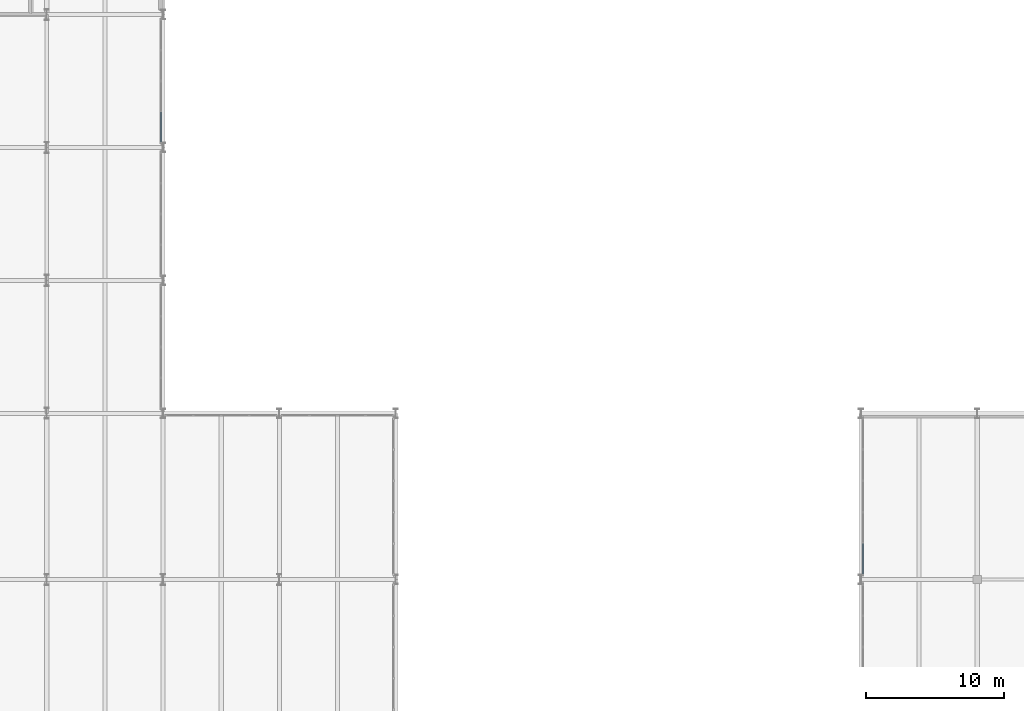
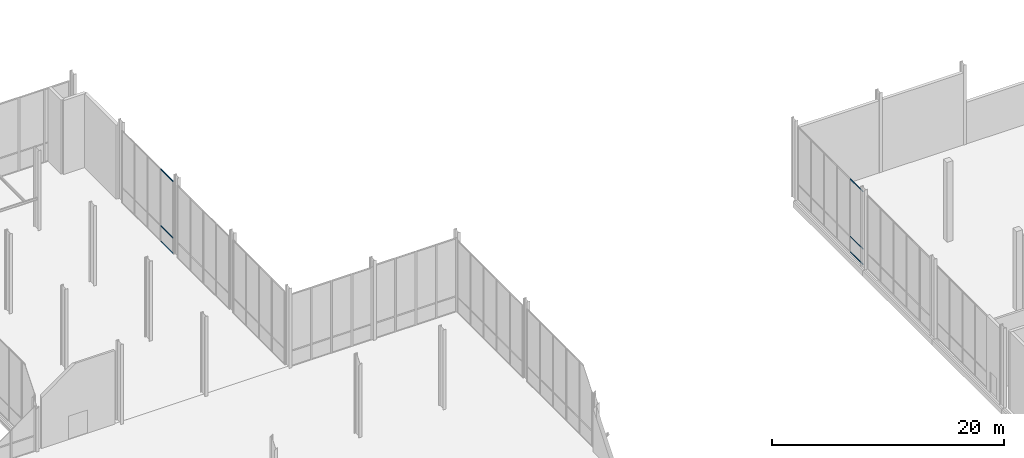
# One storey, part 77 of 131: 6 members, 2 elements without a shape of their own.
"""IFC4 building model written with IfcOpenShell, lengths in metres."""

from ifc_helpers import new_model, si_unit, direction, frame, origin, origin_2d, place, context, subcontext, project, spatial, hollow_rectangle, extrude, material, material_profile, profile_set, type_object, element, aggregate, save


model = new_model("IFC4")

# Units and contexts
model_context = context("Model", 3, precision=1e-05, world=origin(), true_north=direction((0.0, 1.0)))
body_context = subcontext(model_context, "Body", "Model", "MODEL_VIEW")
ifc_project = project(units=[si_unit("LENGTHUNIT", "METRE"), si_unit("AREAUNIT", "SQUARE_METRE"), si_unit("VOLUMEUNIT", "CUBIC_METRE"), si_unit("PLANEANGLEUNIT", "RADIAN"), si_unit("MASSUNIT", "GRAM", prefix="KILO")], contexts=[model_context])

# Site, building, storey
site_placement = place(None, origin())
site = spatial("IfcSite", under=ifc_project, at=site_placement, CompositionType="ELEMENT")
building_placement = place(site_placement, origin())
building = spatial("IfcBuilding", under=site, at=building_placement, Name="Veltarok Museum of Natural Sciences", CompositionType="ELEMENT")
storey_placement = place(building_placement, origin())
storey = spatial("IfcBuildingStorey", under=building, at=storey_placement, Name="L00", CompositionType="ELEMENT", Elevation=0.0)

# Curtain wall, members
ifc_material_1 = material(Name="Low-iron triple insulated glass", Category="glass")
curtain_wall_type_1 = type_object("IfcCurtainWallType", Name="Curtain Wall System CW-V5CW-L00-1-1130x773 (CW-V5CW L00 1130x773cm)", PredefinedType="NOTDEFINED", material=ifc_material_1)
curtain_wall_1_placement = place(storey_placement, origin())
curtain_wall_1 = element("IfcCurtainWall", 1, at=curtain_wall_1_placement, inside=storey, type_object=curtain_wall_type_1, Name="Curtain Wall CW-V5CW-L00-1-1130x773 CW-0173", PredefinedType="NOTDEFINED")
ifc_material_2 = material(Name="Thermally broken anodised aluminium", Category="aluminium")
ifc_material_profile = material_profile(ifc_material_2, hollow_rectangle(XDim=0.06005859375, YDim=0.1201171875, WallThickness=0.0048828125, at=origin_2d()), Name="CW TRANSOM 60x120x5")
ifc_profile_set = profile_set([ifc_material_profile], Name="Thermally broken anodised aluminium")
member_type = type_object("IfcMemberType", Name="Curtain Wall Horizontal Transom 60x120x5", PredefinedType="USERDEFINED", material=ifc_profile_set)
member_1_placement = place(storey_placement, frame((132.550048828125, 60.409912109375, 0.028076171875), z_axis=(0.0, 1.0, 0.0), x_axis=(-1.0, 0.0, 0.0)))
member_1 = element("IfcMember", 2, at=member_1_placement, type_object=member_type, Name="CW-V5CW-L00-1-1130x773 transom 1.1", ObjectType="TRANSOM", PredefinedType="USERDEFINED", context=body_context, shape_type="SweptSolid", body=[
    extrude(hollow_rectangle(XDim=0.06005859375, YDim=0.1201171875, WallThickness=0.0048828125, at=origin_2d()), origin(), (0.0, 0.0, 1.0), 2.170166015625),
])
member_2_placement = place(storey_placement, frame((132.550048828125, 60.409912109375, 1.64794921875), z_axis=(0.0, 1.0, 0.0), x_axis=(-1.0, 0.0, 0.0)))
member_2 = element("IfcMember", 3, at=member_2_placement, type_object=member_type, Name="CW-V5CW-L00-1-1130x773 transom 1.2", ObjectType="TRANSOM", PredefinedType="USERDEFINED", context=body_context, shape_type="SweptSolid", body=[
    extrude(hollow_rectangle(XDim=0.06005859375, YDim=0.1201171875, WallThickness=0.0048828125, at=origin_2d()), origin(), (0.0, 0.0, 1.0), 2.170166015625),
])
member_3_placement = place(storey_placement, frame((132.550048828125, 60.409912109375, 7.699951171875), z_axis=(0.0, 1.0, 0.0), x_axis=(-1.0, 0.0, 0.0)))
member_3 = element("IfcMember", 4, at=member_3_placement, type_object=member_type, Name="CW-V5CW-L00-1-1130x773 transom 1.3", ObjectType="TRANSOM", PredefinedType="USERDEFINED", context=body_context, shape_type="SweptSolid", body=[
    extrude(hollow_rectangle(XDim=0.06005859375, YDim=0.1201171875, WallThickness=0.0048828125, at=origin_2d()), origin(), (0.0, 0.0, 1.0), 2.170166015625),
])
aggregate(curtain_wall_1, [member_1, member_2, member_3])

curtain_wall_type_2 = type_object("IfcCurtainWallType", Name="Curtain Wall System CW-V2NPE-L00-3-890x763 (CW-V2NPE L00 890x763cm)", PredefinedType="NOTDEFINED", material=ifc_material_1)
curtain_wall_2_placement = place(storey_placement, origin())
curtain_wall_2 = element("IfcCurtainWall", 5, at=curtain_wall_2_placement, inside=storey, type_object=curtain_wall_type_2, Name="Curtain Wall CW-V2NPE-L00-3-890x763 CW-0219", PredefinedType="NOTDEFINED")
member_4_placement = place(storey_placement, frame((81.85009765625, 91.610107421875, 0.028076171875), z_axis=(0.0, 1.0, 0.0), x_axis=(-1.0, 0.0, 0.0)))
member_4 = element("IfcMember", 6, at=member_4_placement, type_object=member_type, Name="CW-V2NPE-L00-3-890x763 transom 1.1", ObjectType="TRANSOM", PredefinedType="USERDEFINED", context=body_context, shape_type="SweptSolid", body=[
    extrude(hollow_rectangle(XDim=0.06005859375, YDim=0.1201171875, WallThickness=0.0048828125, at=origin_2d()), origin(), (0.0, 0.0, 1.0), 2.135009765625),
])
member_5_placement = place(storey_placement, frame((81.85009765625, 91.610107421875, 1.64794921875), z_axis=(0.0, 1.0, 0.0), x_axis=(-1.0, 0.0, 0.0)))
member_5 = element("IfcMember", 7, at=member_5_placement, type_object=member_type, Name="CW-V2NPE-L00-3-890x763 transom 1.2", ObjectType="TRANSOM", PredefinedType="USERDEFINED", context=body_context, shape_type="SweptSolid", body=[
    extrude(hollow_rectangle(XDim=0.06005859375, YDim=0.1201171875, WallThickness=0.0048828125, at=origin_2d()), origin(), (0.0, 0.0, 1.0), 2.135009765625),
])
member_6_placement = place(storey_placement, frame((81.85009765625, 91.610107421875, 7.60009765625), z_axis=(0.0, 1.0, 0.0), x_axis=(-1.0, 0.0, 0.0)))
member_6 = element("IfcMember", 8, at=member_6_placement, type_object=member_type, Name="CW-V2NPE-L00-3-890x763 transom 1.3", ObjectType="TRANSOM", PredefinedType="USERDEFINED", context=body_context, shape_type="SweptSolid", body=[
    extrude(hollow_rectangle(XDim=0.06005859375, YDim=0.1201171875, WallThickness=0.0048828125, at=origin_2d()), origin(), (0.0, 0.0, 1.0), 2.135009765625),
])
aggregate(curtain_wall_2, [member_4, member_5, member_6])

save(model, "model.ifc")
